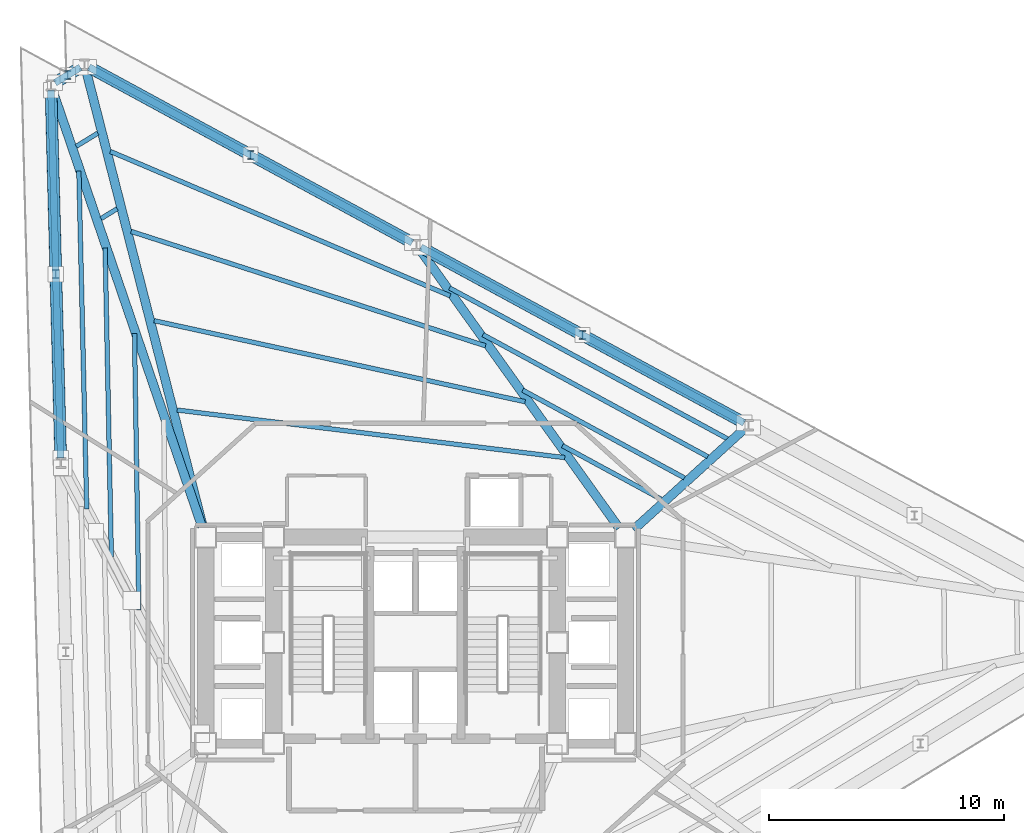
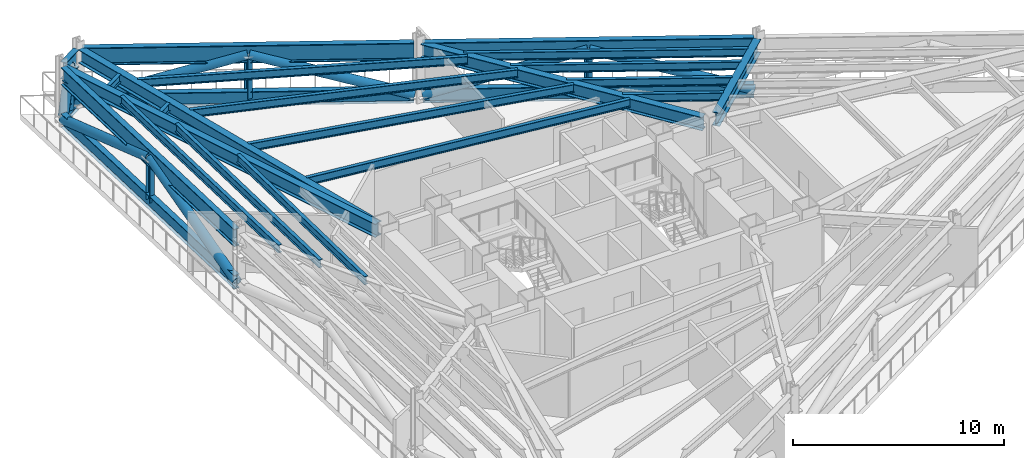
# One storey, part 4 of 10: 21 beams, 16 members.
"""IFC4 building model written with IfcOpenShell, lengths in metres."""

from ifc_helpers import new_model, si_unit, direction, frame, origin, origin_2d, place, context, subcontext, project, spatial, hollow_circle, i_section, extrude, material, material_profile, profile_set, type_object, element, save


model = new_model("IFC4")

# Units and contexts
model_context = context("Model", 3, precision=1e-05, world=origin(), true_north=direction((0.0, 1.0)))
body_context = subcontext(model_context, "Body", "Model", "MODEL_VIEW")
ifc_project = project(units=[si_unit("LENGTHUNIT", "METRE"), si_unit("AREAUNIT", "SQUARE_METRE"), si_unit("VOLUMEUNIT", "CUBIC_METRE"), si_unit("PLANEANGLEUNIT", "RADIAN"), si_unit("MASSUNIT", "GRAM", prefix="KILO")], contexts=[model_context])

# Site, building, storey
site_placement = place(None, origin())
site = spatial("IfcSite", under=ifc_project, at=site_placement, CompositionType="ELEMENT")
building_placement = place(site_placement, origin())
building = spatial("IfcBuilding", under=site, at=building_placement, Name="Rocaltana Carrier Exchange", CompositionType="ELEMENT")
storey_placement = place(building_placement, frame((0.0, 0.0, 45.760009765625)))
storey = spatial("IfcBuildingStorey", under=building, at=storey_placement, Name="L14", CompositionType="ELEMENT", Elevation=45.760009765625)

# Members
ifc_material_1 = material(Name="Steel S460", Category="steel")
ifc_material_profile_1 = material_profile(ifc_material_1, i_section(OverallWidth=0.300048828125, OverallDepth=0.800048828125, WebThickness=0.017578125, FlangeThickness=0.032958984375, FilletRadius=0.030029296875, at=origin_2d()), Name="HEB800")
ifc_profile_set_1 = profile_set([ifc_material_profile_1], Name="Steel S460")
member_type_1 = type_object("IfcMemberType", Name="Belt Truss Chord HEB800", PredefinedType="CHORD", material=ifc_profile_set_1)
for number, where, z_axis, x_axis, name in (
    (1, (14.0087890625, 9.3662109375, 0.35009765625), (-0.8788112834, 0.477169496269, 0.0), (-0.477169496269, -0.8788112834, 0.0), "L14 Belt Truss Bottom Chord 2"),
    (2, (-0.14013671875, 17.048583984375, 0.35009765625), (-0.8788112834, 0.477169496269, 0.0), (-0.477169496269, -0.8788112834, 0.0), "L14 Belt Truss Bottom Chord 3"),
):
    element("IfcMember", number, at=place(storey_placement, frame(where, z_axis=z_axis, x_axis=x_axis)), inside=storey, type_object=member_type_1, Name=name, PredefinedType="CHORD", context=body_context, shape_type="SweptSolid", body=[
        extrude(i_section(OverallWidth=0.300048828125, OverallDepth=0.800048828125, WebThickness=0.017578125, FlangeThickness=0.032958984375, FilletRadius=0.030029296875, at=origin_2d()), origin(), (0.0, 0.0, 1.0), 15.683837890625),
    ])
member_1_placement = place(storey_placement, frame((-14.283447265625, 24.52294921875, 0.35009765625), z_axis=(-0.852720134586, -0.522368042735, 0.0), x_axis=(0.522368042735, -0.852720134586, 0.0)))
element("IfcMember", 3, at=member_1_placement, inside=storey, type_object=member_type_1, Name="L14 Belt Truss Bottom Chord 4", PredefinedType="CHORD", context=body_context, shape_type="SweptSolid", body=[
    extrude(i_section(OverallWidth=0.300048828125, OverallDepth=0.800048828125, WebThickness=0.017578125, FlangeThickness=0.032958984375, FilletRadius=0.030029296875, at=origin_2d()), origin(), (0.0, 0.0, 1.0), 1.268798828125),
])
member_2_placement = place(storey_placement, frame((-15.53759765625, 23.54345703125, 0.35009765625), z_axis=(0.026197794439, -0.999656778883, 0.0), x_axis=(0.999656778883, 0.026197794439, 0.0)))
element("IfcMember", 4, at=member_2_placement, inside=storey, type_object=member_type_1, Name="L14 Belt Truss Bottom Chord 5", PredefinedType="CHORD", context=body_context, shape_type="SweptSolid", body=[
    extrude(i_section(OverallWidth=0.300048828125, OverallDepth=0.800048828125, WebThickness=0.017578125, FlangeThickness=0.032958984375, FilletRadius=0.030029296875, at=origin_2d()), origin(), (0.0, 0.0, 1.0), 15.68408203125),
])
ifc_material_2 = material(Name="Steel S460", Category="steel")
ifc_material_profile_2 = material_profile(ifc_material_2, hollow_circle(Radius=0.25390625, WallThickness=0.02001953125, at=origin_2d()), Name="CHS508X20")
ifc_profile_set_2 = profile_set([ifc_material_profile_2], Name="Steel S460")
member_type_2 = type_object("IfcMemberType", Name="Belt Truss Diagonal CHS508", PredefinedType="BRACE", material=ifc_profile_set_2)
for number, where, z_axis, x_axis, name in (
    (5, (14.0087890625, 9.3662109375, 0.35009765625), (-0.837669257868, 0.454830548227, 0.302389462154), (-0.477169496269, -0.8788112834, 0.0), "L14 Belt Truss Diagonal 2A"),
    (6, (7.1171875, 13.108154296875, 2.837890625), (-0.837669257868, 0.454830548227, -0.302389462154), (-0.477169496269, -0.8788112834, 0.0), "L14 Belt Truss Diagonal 2B"),
    (7, (-0.14013671875, 17.048583984375, 0.35009765625), (-0.837669257868, 0.454830548227, 0.302389462154), (-0.477169496269, -0.8788112834, 0.0), "L14 Belt Truss Diagonal 3A"),
    (8, (-7.03173828125, 20.79052734375, 2.837890625), (-0.837669257868, 0.454830548227, -0.302389462154), (-0.477169496269, -0.8788112834, 0.0), "L14 Belt Truss Diagonal 3B"),
):
    element("IfcMember", number, at=place(storey_placement, frame(where, z_axis=z_axis, x_axis=x_axis)), inside=storey, type_object=member_type_2, Name=name, PredefinedType="BRACE", context=body_context, shape_type="SweptSolid", body=[
        extrude(hollow_circle(Radius=0.25390625, WallThickness=0.02001953125, at=origin_2d()), origin(), (0.0, 0.0, 1.0), 8.22705078125),
    ])
for number, where, z_axis, x_axis, name in (
    (9, (-14.283447265625, 24.52294921875, 0.35009765625), (-0.210722068403, -0.129133830727, 0.968979186386), (0.522507922318, -0.852634429938, 0.0), "L14 Belt Truss Diagonal 4A"),
    (10, (-14.824462890625, 24.19140625, 2.837890625), (-0.210724655058, -0.129040323517, -0.968991080794), (0.522228120971, -0.852805833509, 0.0), "L14 Belt Truss Diagonal 4B"),
):
    element("IfcMember", number, at=place(storey_placement, frame(where, z_axis=z_axis, x_axis=x_axis)), inside=storey, type_object=member_type_2, Name=name, PredefinedType="BRACE", context=body_context, shape_type="SweptSolid", body=[
        extrude(hollow_circle(Radius=0.25390625, WallThickness=0.02001953125, at=origin_2d()), origin(), (0.0, 0.0, 1.0), 2.5673828125),
    ])
for number, where, z_axis, x_axis, name in (
    (11, (-15.53759765625, 23.54345703125, 0.35009765625), (0.024986184463, -0.952857937169, 0.302386246644), (0.999656371104, 0.026213349874, 0.0), "L14 Belt Truss Diagonal 5A"),
    (12, (-15.33203125, 15.7041015625, 2.837890625), (0.024956528153, -0.952858643257, -0.302386470719), (0.99965718642, 0.026182238984, 0.0), "L14 Belt Truss Diagonal 5B"),
):
    element("IfcMember", number, at=place(storey_placement, frame(where, z_axis=z_axis, x_axis=x_axis)), inside=storey, type_object=member_type_2, Name=name, PredefinedType="BRACE", context=body_context, shape_type="SweptSolid", body=[
        extrude(hollow_circle(Radius=0.25390625, WallThickness=0.02001953125, at=origin_2d()), origin(), (0.0, 0.0, 1.0), 8.227294921875),
    ])
ifc_material_3 = material(Name="Steel S460", Category="steel")
ifc_material_profile_3 = material_profile(ifc_material_3, i_section(OverallWidth=0.257080078125, OverallDepth=0.363037109375, WebThickness=0.012939453125, FlangeThickness=0.021728515625, FilletRadius=0.014892578125, at=origin_2d()), Name="W14X82")
ifc_profile_set_3 = profile_set([ifc_material_profile_3], Name="Steel S460")
member_type_3 = type_object("IfcMemberType", Name="Belt Truss Post W14X82", PredefinedType="POST", material=ifc_profile_set_3)
for number, where, z_axis, x_axis, name in (
    (13, (7.1171875, 13.108154296875, 0.35009765625), (0.0, 0.0, 1.0), (1.0, 0.0, 0.0), "L14 Belt Truss Post 2"),
    (14, (-7.03173828125, 20.79052734375, 0.35009765625), (0.0, 0.0, 1.0), (1.0, 0.0, 0.0), "L14 Belt Truss Post 3"),
    (15, (-14.824462890625, 24.19140625, 0.35009765625), (0.0, 0.0, 1.0), (1.0, 0.0, 0.0), "L14 Belt Truss Post 4"),
    (16, (-15.33203125, 15.7041015625, 0.35009765625), (0.0, 0.0, 1.0), (1.0, 0.0, 0.0), "L14 Belt Truss Post 5"),
):
    element("IfcMember", number, at=place(storey_placement, frame(where, z_axis=z_axis, x_axis=x_axis)), inside=storey, type_object=member_type_3, Name=name, PredefinedType="POST", context=body_context, shape_type="SweptSolid", body=[
        extrude(i_section(OverallWidth=0.257080078125, OverallDepth=0.363037109375, WebThickness=0.012939453125, FlangeThickness=0.021728515625, FilletRadius=0.014892578125, at=origin_2d()), origin(), (0.0, 0.0, 1.0), 2.48779296875),
    ])

# Beams
ifc_material_4 = material(Name="Steel S355", Category="steel")
ifc_material_profile_4 = material_profile(ifc_material_4, i_section(OverallWidth=0.193115234375, OverallDepth=0.466064453125, WebThickness=0.011474609375, FlangeThickness=0.01904296875, FilletRadius=0.013916015625, at=origin_2d()), Name="W18X65")
ifc_profile_set_4 = profile_set([ifc_material_profile_4], Name="Steel S355")
beam_type_1 = type_object("IfcBeamType", Name="Floor Joist W18X65", PredefinedType="JOIST", material=ifc_profile_set_4)
beam_1_placement = place(storey_placement, frame((10.465087890625, 6.113525390625, 3.18505859375), z_axis=(-0.878818574165, 0.477156068496, 0.0), x_axis=(-0.477156068496, -0.878818574165, 0.0)))
element("IfcBeam", 17, at=beam_1_placement, inside=storey, type_object=beam_type_1, Name="FJ-L14-02-1", PredefinedType="JOIST", context=body_context, shape_type="SweptSolid", body=[
    extrude(i_section(OverallWidth=0.193115234375, OverallDepth=0.466064453125, WebThickness=0.011474609375, FlangeThickness=0.01904296875, FilletRadius=0.013916015625, at=origin_2d()), origin(), (0.0, 0.0, 1.0), 4.782958984375),
])
beam_2_placement = place(storey_placement, frame((11.461181640625, 7.019287109375, 3.18505859375), z_axis=(-0.878818371715, 0.477156441365, 0.0), x_axis=(-0.477156441365, -0.878818371715, 0.0)))
element("IfcBeam", 18, at=beam_2_placement, inside=storey, type_object=beam_type_1, Name="FJ-L14-02-2", PredefinedType="JOIST", context=body_context, shape_type="SweptSolid", body=[
    extrude(i_section(OverallWidth=0.193115234375, OverallDepth=0.466064453125, WebThickness=0.011474609375, FlangeThickness=0.01904296875, FilletRadius=0.013916015625, at=origin_2d()), origin(), (0.0, 0.0, 1.0), 7.84228515625),
])
beam_3_placement = place(storey_placement, frame((12.45703125, 7.925048828125, 3.18505859375), z_axis=(-0.878822575189, 0.477148699399, 0.0), x_axis=(-0.477148699399, -0.878822575189, 0.0)))
element("IfcBeam", 19, at=beam_3_placement, inside=storey, type_object=beam_type_1, Name="FJ-L14-02-3", PredefinedType="JOIST", context=body_context, shape_type="SweptSolid", body=[
    extrude(i_section(OverallWidth=0.193115234375, OverallDepth=0.466064453125, WebThickness=0.011474609375, FlangeThickness=0.01904296875, FilletRadius=0.013916015625, at=origin_2d()), origin(), (0.0, 0.0, 1.0), 10.901123046875),
])
beam_4_placement = place(storey_placement, frame((13.295654296875, 8.687744140625, 3.18505859375), z_axis=(-0.87881610158, 0.477160622436, 0.0), x_axis=(-0.477160622436, -0.87881610158, 0.0)))
element("IfcBeam", 20, at=beam_4_placement, inside=storey, type_object=beam_type_1, Name="FJ-L14-02-4", PredefinedType="JOIST", context=body_context, shape_type="SweptSolid", body=[
    extrude(i_section(OverallWidth=0.193115234375, OverallDepth=0.466064453125, WebThickness=0.011474609375, FlangeThickness=0.01904296875, FilletRadius=0.013916015625, at=origin_2d()), origin(), (0.0, 0.0, 1.0), 13.47705078125),
])
beam_5_placement = place(storey_placement, frame((6.36181640625, 7.8837890625, 3.18505859375), z_axis=(-0.992540528634, 0.121915130398, 0.0), x_axis=(-0.121915130398, -0.992540528634, 0.0)))
element("IfcBeam", 21, at=beam_5_placement, inside=storey, type_object=beam_type_1, Name="FJ-L14-03-1", PredefinedType="JOIST", context=body_context, shape_type="SweptSolid", body=[
    extrude(i_section(OverallWidth=0.193115234375, OverallDepth=0.466064453125, WebThickness=0.011474609375, FlangeThickness=0.01904296875, FilletRadius=0.013916015625, at=origin_2d()), origin(), (0.0, 0.0, 1.0), 16.645263671875),
])
beam_6_placement = place(storey_placement, frame((4.67236328125, 10.26611328125, 3.18505859375), z_axis=(-0.976954496307, 0.213447680114, 0.0), x_axis=(-0.213447680114, -0.976954496307, 0.0)))
element("IfcBeam", 22, at=beam_6_placement, inside=storey, type_object=beam_type_1, Name="FJ-L14-03-2", PredefinedType="JOIST", context=body_context, shape_type="SweptSolid", body=[
    extrude(i_section(OverallWidth=0.193115234375, OverallDepth=0.466064453125, WebThickness=0.011474609375, FlangeThickness=0.01904296875, FilletRadius=0.013916015625, at=origin_2d()), origin(), (0.0, 0.0, 1.0), 16.18701171875),
])
beam_7_placement = place(storey_placement, frame((2.984619140625, 12.648681640625, 3.18505859375), z_axis=(-0.951602921907, 0.307330244228, 0.0), x_axis=(-0.307330244228, -0.951602921907, 0.0)))
element("IfcBeam", 23, at=beam_7_placement, inside=storey, type_object=beam_type_1, Name="FJ-L14-03-3", PredefinedType="JOIST", context=body_context, shape_type="SweptSolid", body=[
    extrude(i_section(OverallWidth=0.193115234375, OverallDepth=0.466064453125, WebThickness=0.011474609375, FlangeThickness=0.01904296875, FilletRadius=0.013916015625, at=origin_2d()), origin(), (0.0, 0.0, 1.0), 15.879150390625),
])
beam_8_placement = place(storey_placement, frame((1.476318359375, 14.78076171875, 3.18505859375), z_axis=(-0.920352276801, 0.391090381608, 0.0), x_axis=(-0.391090381608, -0.920352276801, 0.0)))
element("IfcBeam", 24, at=beam_8_placement, inside=storey, type_object=beam_type_1, Name="FJ-L14-03-4", PredefinedType="JOIST", context=body_context, shape_type="SweptSolid", body=[
    extrude(i_section(OverallWidth=0.193115234375, OverallDepth=0.466064453125, WebThickness=0.011474609375, FlangeThickness=0.01904296875, FilletRadius=0.013916015625, at=origin_2d()), origin(), (0.0, 0.0, 1.0), 15.738037109375),
])
beam_9_placement = place(storey_placement, frame((-12.716796875, 18.495849609375, 3.18505859375), z_axis=(-0.852536301704, -0.522668015356, 0.0), x_axis=(0.522668015356, -0.852536301704, 0.0)))
element("IfcBeam", 25, at=beam_9_placement, inside=storey, type_object=beam_type_1, Name="FJ-L14-04-3", PredefinedType="JOIST", context=body_context, shape_type="SweptSolid", body=[
    extrude(i_section(OverallWidth=0.193115234375, OverallDepth=0.466064453125, WebThickness=0.011474609375, FlangeThickness=0.01904296875, FilletRadius=0.013916015625, at=origin_2d()), origin(), (0.0, 0.0, 1.0), 0.810546875),
])
beam_10_placement = place(storey_placement, frame((-13.54150390625, 21.716796875, 3.18505859375), z_axis=(-0.85275063979, -0.522318242394, 0.0), x_axis=(0.522318242394, -0.85275063979, 0.0)))
element("IfcBeam", 26, at=beam_10_placement, inside=storey, type_object=beam_type_1, Name="FJ-L14-04-4", PredefinedType="JOIST", context=body_context, shape_type="SweptSolid", body=[
    extrude(i_section(OverallWidth=0.193115234375, OverallDepth=0.466064453125, WebThickness=0.011474609375, FlangeThickness=0.01904296875, FilletRadius=0.013916015625, at=origin_2d()), origin(), (0.0, 0.0, 1.0), 1.080322265625),
])
beam_11_placement = place(storey_placement, frame((-11.979736328125, 13.171142578125, 3.18505859375), z_axis=(0.015947265471, -0.999872834276, 0.0), x_axis=(0.999872834276, 0.015947265471, 0.0)))
element("IfcBeam", 27, at=beam_11_placement, inside=storey, type_object=beam_type_1, Name="FJ-L14-05-2", PredefinedType="JOIST", context=body_context, shape_type="SweptSolid", body=[
    extrude(i_section(OverallWidth=0.193115234375, OverallDepth=0.466064453125, WebThickness=0.011474609375, FlangeThickness=0.01904296875, FilletRadius=0.013916015625, at=origin_2d()), origin(), (0.0, 0.0, 1.0), 11.7880859375),
])
beam_12_placement = place(storey_placement, frame((-13.231689453125, 16.828857421875, 3.18505859375), z_axis=(0.020235319115, -0.999795244968, 0.0), x_axis=(0.999795244968, 0.020235319115, 0.0)))
element("IfcBeam", 28, at=beam_12_placement, inside=storey, type_object=beam_type_1, Name="FJ-L14-05-3", PredefinedType="JOIST", context=body_context, shape_type="SweptSolid", body=[
    extrude(i_section(OverallWidth=0.193115234375, OverallDepth=0.466064453125, WebThickness=0.011474609375, FlangeThickness=0.01904296875, FilletRadius=0.013916015625, at=origin_2d()), origin(), (0.0, 0.0, 1.0), 13.175048828125),
])
beam_13_placement = place(storey_placement, frame((-14.351806640625, 20.1015625, 3.18505859375), z_axis=(0.023369974948, -0.99972688484, 0.0), x_axis=(0.99972688484, 0.023369974948, 0.0)))
element("IfcBeam", 29, at=beam_13_placement, inside=storey, type_object=beam_type_1, Name="FJ-L14-05-4", PredefinedType="JOIST", context=body_context, shape_type="SweptSolid", body=[
    extrude(i_section(OverallWidth=0.193115234375, OverallDepth=0.466064453125, WebThickness=0.011474609375, FlangeThickness=0.01904296875, FilletRadius=0.013916015625, at=origin_2d()), origin(), (0.0, 0.0, 1.0), 14.41650390625),
])
ifc_material_5 = material(Name="Steel S355", Category="steel")
ifc_material_profile_5 = material_profile(ifc_material_5, i_section(OverallWidth=0.381103515625, OverallDepth=0.77294921875, WebThickness=0.0166015625, FlangeThickness=0.027099609375, FilletRadius=0.01904296875, at=origin_2d()), Name="W30X173")
ifc_profile_set_5 = profile_set([ifc_material_profile_5], Name="Steel S355")
beam_type_2 = type_object("IfcBeamType", Name="Plant Floor Girder W30X173", PredefinedType="BEAM", material=ifc_profile_set_5)
beam_14_placement = place(storey_placement, frame((9.29541015625, 4.814208984375, 3.031494140625), z_axis=(0.739807445463, 0.672818655834, 0.0), x_axis=(-0.672818655834, 0.739807445463, 0.0)))
element("IfcBeam", 30, at=beam_14_placement, inside=storey, type_object=beam_type_2, Name="RG-L14-02", PredefinedType="BEAM", context=body_context, shape_type="SweptSolid", body=[
    extrude(i_section(OverallWidth=0.381103515625, OverallDepth=0.77294921875, WebThickness=0.0166015625, FlangeThickness=0.027099609375, FilletRadius=0.01904296875, at=origin_2d()), origin(), (0.0, 0.0, 1.0), 6.414306640625),
])
beam_15_placement = place(storey_placement, frame((8.67822265625, 4.8798828125, 3.031494140625), z_axis=(-0.581884927031, 0.813271130493, 0.0), x_axis=(-0.813271130493, -0.581884927031, 0.0)))
element("IfcBeam", 31, at=beam_15_placement, inside=storey, type_object=beam_type_2, Name="RG-L14-03", PredefinedType="BEAM", context=body_context, shape_type="SweptSolid", body=[
    extrude(i_section(OverallWidth=0.381103515625, OverallDepth=0.77294921875, WebThickness=0.0166015625, FlangeThickness=0.027099609375, FilletRadius=0.01904296875, at=origin_2d()), origin(), (0.0, 0.0, 1.0), 14.63671875),
])
beam_16_placement = place(storey_placement, frame((-9.06591796875, 4.952392578125, 3.031494140625), z_axis=(-0.248115976649, 0.968730335094, 0.0), x_axis=(-0.968730335094, -0.248115976649, 0.0)))
element("IfcBeam", 32, at=beam_16_placement, inside=storey, type_object=beam_type_2, Name="RG-L14-04", PredefinedType="BEAM", context=body_context, shape_type="SweptSolid", body=[
    extrude(i_section(OverallWidth=0.381103515625, OverallDepth=0.77294921875, WebThickness=0.0166015625, FlangeThickness=0.027099609375, FilletRadius=0.01904296875, at=origin_2d()), origin(), (0.0, 0.0, 1.0), 20.110595703125),
])
beam_17_placement = place(storey_placement, frame((-9.101318359375, 4.94189453125, 3.031494140625), z_axis=(-0.323992518523, 0.946059642909, 0.0), x_axis=(-0.946059642909, -0.323992518523, 0.0)))
element("IfcBeam", 33, at=beam_17_placement, inside=storey, type_object=beam_type_2, Name="RG-L14-05", PredefinedType="BEAM", context=body_context, shape_type="SweptSolid", body=[
    extrude(i_section(OverallWidth=0.381103515625, OverallDepth=0.77294921875, WebThickness=0.0166015625, FlangeThickness=0.027099609375, FilletRadius=0.01904296875, at=origin_2d()), origin(), (0.0, 0.0, 1.0), 19.677978515625),
])
ifc_material_6 = material(Name="Steel S460", Category="steel")
ifc_material_profile_6 = material_profile(ifc_material_6, i_section(OverallWidth=0.302001953125, OverallDepth=1.008056640625, WebThickness=0.02099609375, FlangeThickness=0.0400390625, FilletRadius=0.030029296875, at=origin_2d()), Name="HEM1000")
ifc_profile_set_6 = profile_set([ifc_material_profile_6], Name="Steel S460")
beam_type_3 = type_object("IfcBeamType", Name="Transfer Ring Girder HEM1000", PredefinedType="USERDEFINED", material=ifc_profile_set_6)
beam_18_placement = place(storey_placement, frame((14.012451171875, 9.364501953125, 2.9140625), z_axis=(-0.878819693906, 0.477154006168, 0.0), x_axis=(-0.477154006168, -0.878819693906, 0.0)))
element("IfcBeam", 34, at=beam_18_placement, inside=storey, type_object=beam_type_3, Name="SP-L14-02", ObjectType="TRANSFER GIRDER", PredefinedType="USERDEFINED", context=body_context, shape_type="SweptSolid", body=[
    extrude(i_section(OverallWidth=0.302001953125, OverallDepth=1.008056640625, WebThickness=0.02099609375, FlangeThickness=0.0400390625, FilletRadius=0.030029296875, at=origin_2d()), origin(), (0.0, 0.0, 1.0), 15.692138671875),
])
beam_19_placement = place(storey_placement, frame((-0.13671875, 17.046630859375, 2.9140625), z_axis=(-0.878809627373, 0.47717254619, 0.0), x_axis=(-0.47717254619, -0.878809627373, 0.0)))
element("IfcBeam", 35, at=beam_19_placement, inside=storey, type_object=beam_type_3, Name="SP-L14-03", ObjectType="TRANSFER GIRDER", PredefinedType="USERDEFINED", context=body_context, shape_type="SweptSolid", body=[
    extrude(i_section(OverallWidth=0.302001953125, OverallDepth=1.008056640625, WebThickness=0.02099609375, FlangeThickness=0.0400390625, FilletRadius=0.030029296875, at=origin_2d()), origin(), (0.0, 0.0, 1.0), 15.69189453125),
])
beam_20_placement = place(storey_placement, frame((-14.280029296875, 24.525146484375, 2.9140625), z_axis=(-0.852647958585, -0.522485845474, 0.0), x_axis=(0.522485845474, -0.852647958585, 0.0)))
element("IfcBeam", 36, at=beam_20_placement, inside=storey, type_object=beam_type_3, Name="SP-L14-04", ObjectType="TRANSFER GIRDER", PredefinedType="USERDEFINED", context=body_context, shape_type="SweptSolid", body=[
    extrude(i_section(OverallWidth=0.302001953125, OverallDepth=1.008056640625, WebThickness=0.02099609375, FlangeThickness=0.0400390625, FilletRadius=0.030029296875, at=origin_2d()), origin(), (0.0, 0.0, 1.0), 1.277099609375),
])
beam_21_placement = place(storey_placement, frame((-15.53759765625, 23.54736328125, 2.9140625), z_axis=(0.026184348618, -0.999657131164, 0.0), x_axis=(0.999657131164, 0.026184348618, 0.0)))
element("IfcBeam", 37, at=beam_21_placement, inside=storey, type_object=beam_type_3, Name="SP-L14-05", ObjectType="TRANSFER GIRDER", PredefinedType="USERDEFINED", context=body_context, shape_type="SweptSolid", body=[
    extrude(i_section(OverallWidth=0.302001953125, OverallDepth=1.008056640625, WebThickness=0.02099609375, FlangeThickness=0.0400390625, FilletRadius=0.030029296875, at=origin_2d()), origin(), (0.0, 0.0, 1.0), 15.692138671875),
])

save(model, "model.ifc")
